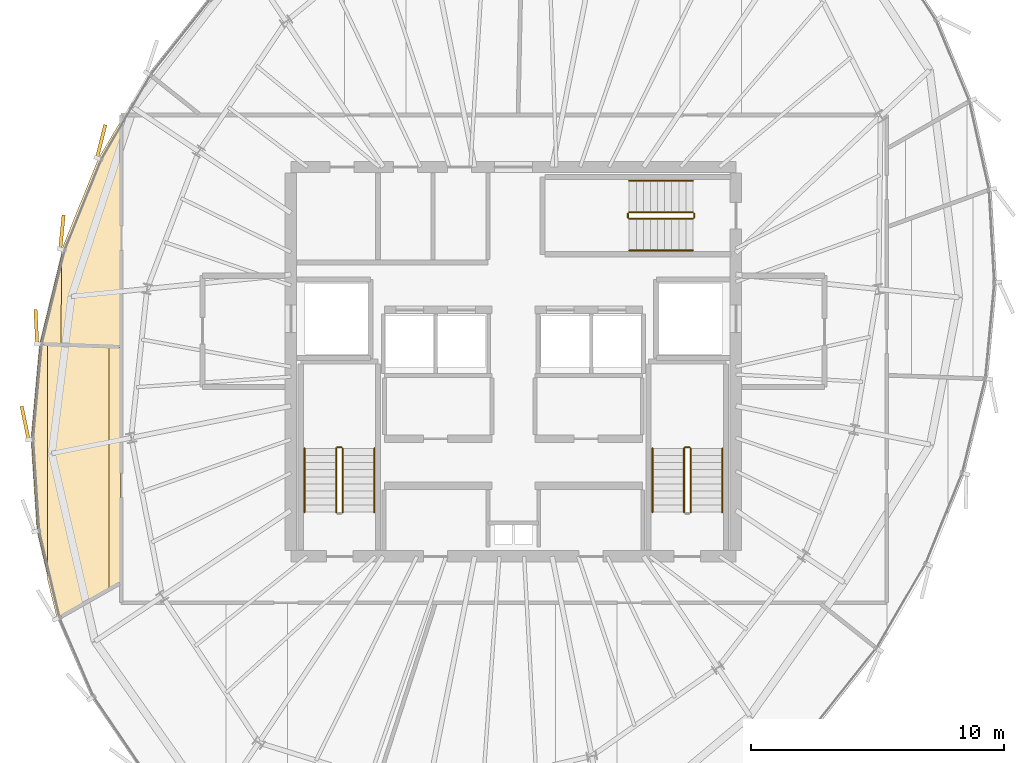
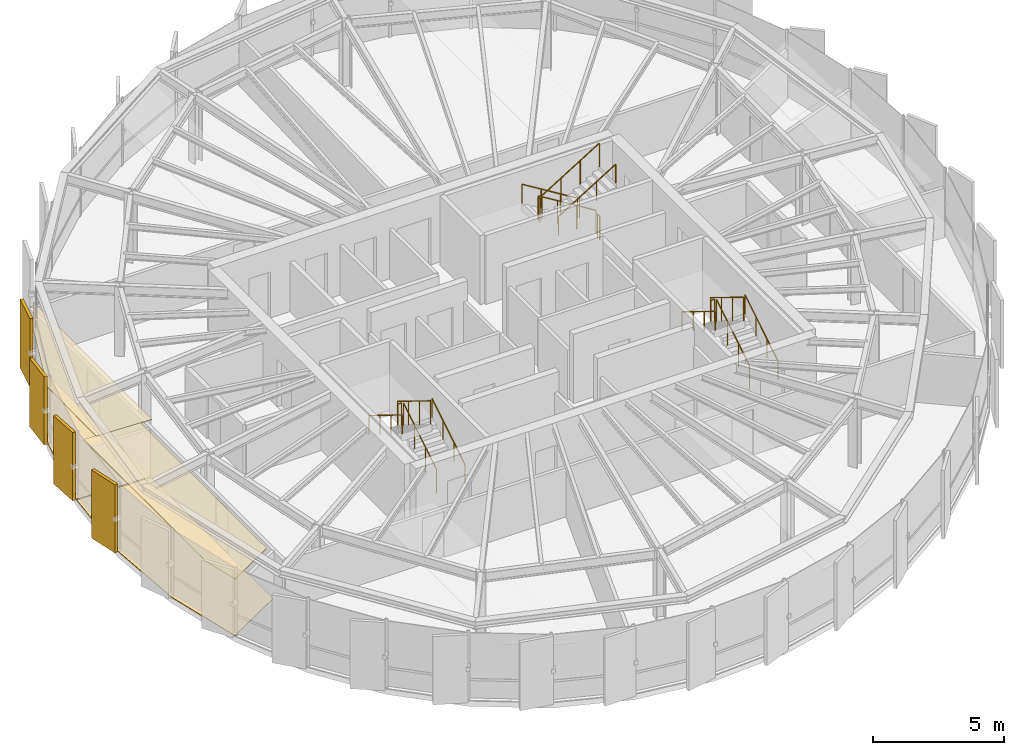
# One storey, part 30 of 31: 16 railings, 8 coverings.
"""IFC4 building model written with IfcOpenShell, lengths in metres."""

from ifc_helpers import new_model, si_unit, direction, frame, origin, origin_2d, place, context, subcontext, project, spatial, polyline, rectangle, circle, outline, extrude, source, transform, mapped, material, layer, layer_set, type_object, element, save


model = new_model("IFC4")

# Units and contexts
model_context = context("Model", 3, precision=1e-05, world=origin(), true_north=direction((0.0, 1.0)))
body_context = subcontext(model_context, "Body", "Model", "MODEL_VIEW")
ifc_project = project(units=[si_unit("LENGTHUNIT", "METRE"), si_unit("AREAUNIT", "SQUARE_METRE"), si_unit("VOLUMEUNIT", "CUBIC_METRE"), si_unit("PLANEANGLEUNIT", "RADIAN"), si_unit("MASSUNIT", "GRAM", prefix="KILO"), si_unit("THERMODYNAMICTEMPERATUREUNIT", "KELVIN")], contexts=[model_context])

# Site, building, storey
site_placement = place(None, origin())
site = spatial("IfcSite", under=ifc_project, at=site_placement, CompositionType="ELEMENT")
building_placement = place(site_placement, origin())
building = spatial("IfcBuilding", under=site, at=building_placement, Name="Kethvar Cultural Tower", CompositionType="ELEMENT")
storey_placement = place(building_placement, frame((0.0, 0.0, 290.5)))
storey = spatial("IfcBuildingStorey", under=building, at=storey_placement, Name="L77", CompositionType="ELEMENT", Elevation=290.5)

# Coverings
ifc_material_1 = material(Name="Acoustic Mineral Fibre Ceiling")
ifc_layer_1 = layer(ifc_material_1, 0.0400390625, Name="Acoustic Mineral Fibre Ceiling")
ifc_layer_set_1 = layer_set([ifc_layer_1], Name="Acoustic Mineral Fibre Ceiling (40 mm)")
covering_type_1 = type_object("IfcCoveringType", Name="CV-ACOUSTIC-CEIL", PredefinedType="CEILING", material=ifc_layer_set_1)
covering_1_placement = place(storey_placement, frame((0.0, 0.0, 2.669921875)))
element("IfcCovering", 1, at=covering_1_placement, inside=storey, type_object=covering_type_1, Name="L77 Room 08 Acoustic Ceiling Panel", PredefinedType="CEILING", context=body_context, shape_type="SweptSolid", body=[
    extrude(outline(polyline([(28.9365234375, 32.243896484375), (30.388671875, 35.83837890625), (31.2978515625, 37.3662109375), (31.30078125, 28.367919921875), (28.90380859375, 28.454833984375), (28.9365234375, 32.243896484375)])), origin(), (0.0, 0.0, 1.0), 0.0400390625),
])
covering_2_placement = place(storey_placement, frame((0.0, 0.0, 2.669921875)))
element("IfcCovering", 2, at=covering_2_placement, inside=storey, type_object=covering_type_1, Name="L77 Room 09 Acoustic Ceiling Panel", PredefinedType="CEILING", context=body_context, shape_type="SweptSolid", body=[
    extrude(outline(polyline([(30.806396484375, 28.423095703125), (30.806396484375, 18.773681640625), (28.7548828125, 17.623779296875), (28.37646484375, 19.17919921875), (28.37646484375, 28.5146484375), (30.806396484375, 28.423095703125)])), origin(), (0.0, 0.0, 1.0), 0.0400390625),
])
ifc_material_2 = material(Name="Architectural Oak Timber", Category="wood")
ifc_layer_2 = layer(ifc_material_2, 0.02490234375, Name="Architectural Oak Timber", Category="wood")
ifc_layer_set_2 = layer_set([ifc_layer_2], Name="Architectural Oak Timber (25 mm)")
covering_type_2 = type_object("IfcCoveringType", Name="CV-OAK-FLOOR", PredefinedType="FLOORING", material=ifc_layer_set_2)
covering_3_placement = place(storey_placement, origin())
element("IfcCovering", 3, at=covering_3_placement, inside=storey, type_object=covering_type_2, Name="L77 Room 08 Floor Finish", PredefinedType="FLOORING", context=body_context, shape_type="SweptSolid", body=[
    extrude(outline(polyline([(28.97412109375, 32.230224609375), (30.425048828125, 35.822021484375), (31.27001953125, 37.273681640625), (31.27001953125, 28.405517578125), (28.0703125, 28.5263671875), (28.97412109375, 32.230224609375)])), origin(), (0.0, 0.0, 1.0), 0.02490234375),
])
covering_4_placement = place(storey_placement, origin())
element("IfcCovering", 4, at=covering_4_placement, inside=storey, type_object=covering_type_2, Name="L77 Room 09 Floor Finish", PredefinedType="FLOORING", context=body_context, shape_type="SweptSolid", body=[
    extrude(outline(polyline([(27.965087890625, 21.101318359375), (27.725341796875, 24.75634765625), (28.0634765625, 28.486572265625), (31.27001953125, 28.365478515625), (31.27001953125, 19.080322265625), (28.771728515625, 17.674072265625), (27.965087890625, 21.101318359375)])), origin(), (0.0, 0.0, 1.0), 0.02490234375),
])

# Railings
ifc_material_3 = material(Name="Steel S355J2", Category="steel")
railing_type_1 = type_object("IfcRailingType", Name="RL-STAIR-GUARD", PredefinedType="BALUSTRADE", material=ifc_material_3)
railing_1_placement = place(storey_placement, frame((40.050048828125, 21.85009765625, 0.172607421875)))
element("IfcRailing", 5, at=railing_1_placement, inside=storey, type_object=railing_type_1, Name="L77 ST-01 stair guard 1", PredefinedType="BALUSTRADE", context=body_context, shape_type="SweptSolid", body=[
    extrude(circle(Radius=0.02392578125, at=origin_2d()), frame((0.0, 0.0, 1.09619140625), z_axis=(0.0, 0.851400495292, 0.524516154772), x_axis=(-1.0, 0.0, 0.0)), (0.0, 0.0, 1.0), 2.9599609375),
    extrude(circle(Radius=0.02099609375, at=origin_2d()), origin(), (0.0, 0.0, 1.0), 1.072021484375),
    extrude(circle(Radius=0.02099609375, at=origin_2d()), frame((0.0, 0.840087890625, 0.517578125)), (0.0, 0.0, 1.0), 1.072021484375),
    extrude(circle(Radius=0.02099609375, at=origin_2d()), frame((0.0, 1.679931640625, 1.034912109375)), (0.0, 0.0, 1.0), 1.072021484375),
    extrude(circle(Radius=0.02099609375, at=origin_2d()), frame((0.0, 2.52001953125, 1.552490234375)), (0.0, 0.0, 1.0), 1.072021484375),
])
railing_2_placement = place(storey_placement, frame((40.0, 24.419921875, 1.72509765625)))
element("IfcRailing", 6, at=railing_2_placement, inside=storey, type_object=railing_type_1, Name="L77 ST-01 stair guard 2", PredefinedType="BALUSTRADE", context=body_context, shape_type="SweptSolid", body=[
    extrude(circle(Radius=0.02392578125, at=origin_2d()), frame((0.0, 0.0, 1.09619140625), z_axis=(-1.0, 0.0, 0.0), x_axis=(0.0, -1.0, 0.0)), (0.0, 0.0, 1.0), 0.159912109375),
    extrude(circle(Radius=0.02099609375, at=origin_2d()), origin(), (0.0, 0.0, 1.0), 1.072021484375),
    extrude(circle(Radius=0.02099609375, at=origin_2d()), frame((-0.159912109375, 0.0, 0.0)), (0.0, 0.0, 1.0), 1.072021484375),
])
railing_3_placement = place(storey_placement, frame((39.7900390625, 24.3701171875, 1.8974609375)))
element("IfcRailing", 7, at=railing_3_placement, inside=storey, type_object=railing_type_1, Name="L77 ST-01 stair guard 3", PredefinedType="BALUSTRADE", context=body_context, shape_type="SweptSolid", body=[
    extrude(circle(Radius=0.02392578125, at=origin_2d()), frame((0.0, 0.0, 1.09619140625), z_axis=(0.0, -0.851400495292, 0.524516154772), x_axis=(1.0, 0.0, 0.0)), (0.0, 0.0, 1.0), 2.9599609375),
    extrude(circle(Radius=0.02099609375, at=origin_2d()), origin(), (0.0, 0.0, 1.0), 1.072021484375),
    extrude(circle(Radius=0.02099609375, at=origin_2d()), frame((0.0, -0.840087890625, 0.517578125)), (0.0, 0.0, 1.0), 1.072021484375),
    extrude(circle(Radius=0.02099609375, at=origin_2d()), frame((0.0, -1.679931640625, 1.034912109375)), (0.0, 0.0, 1.0), 1.072021484375),
    extrude(circle(Radius=0.02099609375, at=origin_2d()), frame((0.0, -2.52001953125, 1.552490234375)), (0.0, 0.0, 1.0), 1.072021484375),
])
railing_4_placement = place(storey_placement, frame((53.81005859375, 21.85009765625, 0.172607421875)))
element("IfcRailing", 8, at=railing_4_placement, inside=storey, type_object=railing_type_1, Name="L77 ST-02 stair guard 1", PredefinedType="BALUSTRADE", context=body_context, shape_type="SweptSolid", body=[
    extrude(circle(Radius=0.02392578125, at=origin_2d()), frame((0.0, 0.0, 1.09619140625), z_axis=(0.0, 0.851400495292, 0.524516154772), x_axis=(-1.0, 0.0, 0.0)), (0.0, 0.0, 1.0), 2.9599609375),
    extrude(circle(Radius=0.02099609375, at=origin_2d()), origin(), (0.0, 0.0, 1.0), 1.072021484375),
    extrude(circle(Radius=0.02099609375, at=origin_2d()), frame((0.0, 0.840087890625, 0.517578125)), (0.0, 0.0, 1.0), 1.072021484375),
    extrude(circle(Radius=0.02099609375, at=origin_2d()), frame((0.0, 1.679931640625, 1.034912109375)), (0.0, 0.0, 1.0), 1.072021484375),
    extrude(circle(Radius=0.02099609375, at=origin_2d()), frame((0.0, 2.52001953125, 1.552490234375)), (0.0, 0.0, 1.0), 1.072021484375),
])
railing_5_placement = place(storey_placement, frame((53.760009765625, 24.419921875, 1.72509765625)))
element("IfcRailing", 9, at=railing_5_placement, inside=storey, type_object=railing_type_1, Name="L77 ST-02 stair guard 2", PredefinedType="BALUSTRADE", context=body_context, shape_type="SweptSolid", body=[
    extrude(circle(Radius=0.02392578125, at=origin_2d()), frame((0.0, 0.0, 1.09619140625), z_axis=(-1.0, 0.0, 0.0), x_axis=(0.0, -1.0, 0.0)), (0.0, 0.0, 1.0), 0.159912109375),
    extrude(circle(Radius=0.02099609375, at=origin_2d()), origin(), (0.0, 0.0, 1.0), 1.072021484375),
    extrude(circle(Radius=0.02099609375, at=origin_2d()), frame((-0.159912109375, 0.0, 0.0)), (0.0, 0.0, 1.0), 1.072021484375),
])
railing_6_placement = place(storey_placement, frame((53.550048828125, 24.3701171875, 1.8974609375)))
element("IfcRailing", 10, at=railing_6_placement, inside=storey, type_object=railing_type_1, Name="L77 ST-02 stair guard 3", PredefinedType="BALUSTRADE", context=body_context, shape_type="SweptSolid", body=[
    extrude(circle(Radius=0.02392578125, at=origin_2d()), frame((0.0, 0.0, 1.09619140625), z_axis=(0.0, -0.851400495292, 0.524516154772), x_axis=(1.0, 0.0, 0.0)), (0.0, 0.0, 1.0), 2.9599609375),
    extrude(circle(Radius=0.02099609375, at=origin_2d()), origin(), (0.0, 0.0, 1.0), 1.072021484375),
    extrude(circle(Radius=0.02099609375, at=origin_2d()), frame((0.0, -0.840087890625, 0.517578125)), (0.0, 0.0, 1.0), 1.072021484375),
    extrude(circle(Radius=0.02099609375, at=origin_2d()), frame((0.0, -1.679931640625, 1.034912109375)), (0.0, 0.0, 1.0), 1.072021484375),
    extrude(circle(Radius=0.02099609375, at=origin_2d()), frame((0.0, -2.52001953125, 1.552490234375)), (0.0, 0.0, 1.0), 1.072021484375),
])
railing_7_placement = place(storey_placement, frame((53.89990234375, 33.7099609375, 0.172607421875)))
element("IfcRailing", 11, at=railing_7_placement, inside=storey, type_object=railing_type_1, Name="L77 ST-03 stair guard 1", PredefinedType="BALUSTRADE", context=body_context, shape_type="SweptSolid", body=[
    extrude(circle(Radius=0.02392578125, at=origin_2d()), frame((0.0, 0.0, 1.09619140625), z_axis=(-0.851400495292, 0.0, 0.524516154772), x_axis=(0.0, -1.0, 0.0)), (0.0, 0.0, 1.0), 2.9599609375),
    extrude(circle(Radius=0.02099609375, at=origin_2d()), origin(), (0.0, 0.0, 1.0), 1.072021484375),
    extrude(circle(Radius=0.02099609375, at=origin_2d()), frame((-0.840087890625, 0.0, 0.517578125)), (0.0, 0.0, 1.0), 1.072021484375),
    extrude(circle(Radius=0.02099609375, at=origin_2d()), frame((-1.679931640625, 0.0, 1.034912109375)), (0.0, 0.0, 1.0), 1.072021484375),
    extrude(circle(Radius=0.02099609375, at=origin_2d()), frame((-2.52001953125, 0.0, 1.552490234375)), (0.0, 0.0, 1.0), 1.072021484375),
])
railing_8_placement = place(storey_placement, frame((51.330078125, 33.659912109375, 1.72509765625)))
element("IfcRailing", 12, at=railing_8_placement, inside=storey, type_object=railing_type_1, Name="L77 ST-03 stair guard 2", PredefinedType="BALUSTRADE", context=body_context, shape_type="SweptSolid", body=[
    extrude(circle(Radius=0.02392578125, at=origin_2d()), frame((0.0, 0.0, 1.09619140625), z_axis=(0.0, -1.0, 0.0), x_axis=(1.0, 0.0, 0.0)), (0.0, 0.0, 1.0), 0.159912109375),
    extrude(circle(Radius=0.02099609375, at=origin_2d()), origin(), (0.0, 0.0, 1.0), 1.072021484375),
    extrude(circle(Radius=0.02099609375, at=origin_2d()), frame((0.0, -0.159912109375, 0.0)), (0.0, 0.0, 1.0), 1.072021484375),
])
railing_9_placement = place(storey_placement, frame((51.3798828125, 33.449951171875, 1.8974609375)))
element("IfcRailing", 13, at=railing_9_placement, inside=storey, type_object=railing_type_1, Name="L77 ST-03 stair guard 3", PredefinedType="BALUSTRADE", context=body_context, shape_type="SweptSolid", body=[
    extrude(circle(Radius=0.02392578125, at=origin_2d()), frame((0.0, 0.0, 1.09619140625), z_axis=(0.851400495292, 0.0, 0.524516154772), x_axis=(0.0, 1.0, 0.0)), (0.0, 0.0, 1.0), 2.9599609375),
    extrude(circle(Radius=0.02099609375, at=origin_2d()), origin(), (0.0, 0.0, 1.0), 1.072021484375),
    extrude(circle(Radius=0.02099609375, at=origin_2d()), frame((0.840087890625, 0.0, 0.517578125)), (0.0, 0.0, 1.0), 1.072021484375),
    extrude(circle(Radius=0.02099609375, at=origin_2d()), frame((1.679931640625, 0.0, 1.034912109375)), (0.0, 0.0, 1.0), 1.072021484375),
    extrude(circle(Radius=0.02099609375, at=origin_2d()), frame((2.52001953125, 0.0, 1.552490234375)), (0.0, 0.0, 1.0), 1.072021484375),
])
railing_10_placement = place(storey_placement, frame((53.949951171875, 33.659912109375, 0.0)))
element("IfcRailing", 14, at=railing_10_placement, inside=storey, type_object=railing_type_1, Name="L77 ST-03 stair guard 4", PredefinedType="BALUSTRADE", context=body_context, shape_type="SweptSolid", body=[
    extrude(circle(Radius=0.02392578125, at=origin_2d()), frame((0.0, 0.0, 1.09619140625), z_axis=(0.0, -1.0, 0.0), x_axis=(1.0, 0.0, 0.0)), (0.0, 0.0, 1.0), 0.159912109375),
    extrude(circle(Radius=0.02099609375, at=origin_2d()), origin(), (0.0, 0.0, 1.0), 1.072021484375),
    extrude(circle(Radius=0.02099609375, at=origin_2d()), frame((0.0, -0.159912109375, 0.0)), (0.0, 0.0, 1.0), 1.072021484375),
])
railing_type_2 = type_object("IfcRailingType", Name="RL-STAIR-HANDRAIL", PredefinedType="HANDRAIL", material=ifc_material_3)
railing_11_placement = place(storey_placement, frame((41.300048828125, 21.85009765625, 0.172607421875)))
element("IfcRailing", 15, at=railing_11_placement, inside=storey, type_object=railing_type_2, Name="L77 ST-01 stair handrail 1", PredefinedType="HANDRAIL", context=body_context, shape_type="SweptSolid", body=[
    extrude(circle(Radius=0.02392578125, at=origin_2d()), frame((0.0, 0.0, 0.8759765625), z_axis=(0.0, 0.851400495292, 0.524516154772), x_axis=(-1.0, 0.0, 0.0)), (0.0, 0.0, 1.0), 2.9599609375),
    extrude(circle(Radius=0.02099609375, at=origin_2d()), origin(), (0.0, 0.0, 1.0), 0.851806640625),
    extrude(circle(Radius=0.02099609375, at=origin_2d()), frame((0.0, 0.840087890625, 0.517578125)), (0.0, 0.0, 1.0), 0.851806640625),
    extrude(circle(Radius=0.02099609375, at=origin_2d()), frame((0.0, 1.679931640625, 1.034912109375)), (0.0, 0.0, 1.0), 0.851806640625),
    extrude(circle(Radius=0.02099609375, at=origin_2d()), frame((0.0, 2.52001953125, 1.552490234375)), (0.0, 0.0, 1.0), 0.851806640625),
])
railing_12_placement = place(storey_placement, frame((38.5400390625, 24.3701171875, 1.8974609375)))
element("IfcRailing", 16, at=railing_12_placement, inside=storey, type_object=railing_type_2, Name="L77 ST-01 stair handrail 2", PredefinedType="HANDRAIL", context=body_context, shape_type="SweptSolid", body=[
    extrude(circle(Radius=0.02392578125, at=origin_2d()), frame((0.0, 0.0, 0.8759765625), z_axis=(0.0, -0.851400495292, 0.524516154772), x_axis=(1.0, 0.0, 0.0)), (0.0, 0.0, 1.0), 2.9599609375),
    extrude(circle(Radius=0.02099609375, at=origin_2d()), origin(), (0.0, 0.0, 1.0), 0.851806640625),
    extrude(circle(Radius=0.02099609375, at=origin_2d()), frame((0.0, -0.840087890625, 0.517578125)), (0.0, 0.0, 1.0), 0.851806640625),
    extrude(circle(Radius=0.02099609375, at=origin_2d()), frame((0.0, -1.679931640625, 1.034912109375)), (0.0, 0.0, 1.0), 0.851806640625),
    extrude(circle(Radius=0.02099609375, at=origin_2d()), frame((0.0, -2.52001953125, 1.552490234375)), (0.0, 0.0, 1.0), 0.851806640625),
])
railing_13_placement = place(storey_placement, frame((55.06005859375, 21.85009765625, 0.172607421875)))
element("IfcRailing", 17, at=railing_13_placement, inside=storey, type_object=railing_type_2, Name="L77 ST-02 stair handrail 1", PredefinedType="HANDRAIL", context=body_context, shape_type="SweptSolid", body=[
    extrude(circle(Radius=0.02392578125, at=origin_2d()), frame((0.0, 0.0, 0.8759765625), z_axis=(0.0, 0.851400495292, 0.524516154772), x_axis=(-1.0, 0.0, 0.0)), (0.0, 0.0, 1.0), 2.9599609375),
    extrude(circle(Radius=0.02099609375, at=origin_2d()), origin(), (0.0, 0.0, 1.0), 0.851806640625),
    extrude(circle(Radius=0.02099609375, at=origin_2d()), frame((0.0, 0.840087890625, 0.517578125)), (0.0, 0.0, 1.0), 0.851806640625),
    extrude(circle(Radius=0.02099609375, at=origin_2d()), frame((0.0, 1.679931640625, 1.034912109375)), (0.0, 0.0, 1.0), 0.851806640625),
    extrude(circle(Radius=0.02099609375, at=origin_2d()), frame((0.0, 2.52001953125, 1.552490234375)), (0.0, 0.0, 1.0), 0.851806640625),
])
railing_14_placement = place(storey_placement, frame((52.300048828125, 24.3701171875, 1.8974609375)))
element("IfcRailing", 18, at=railing_14_placement, inside=storey, type_object=railing_type_2, Name="L77 ST-02 stair handrail 2", PredefinedType="HANDRAIL", context=body_context, shape_type="SweptSolid", body=[
    extrude(circle(Radius=0.02392578125, at=origin_2d()), frame((0.0, 0.0, 0.8759765625), z_axis=(0.0, -0.851400495292, 0.524516154772), x_axis=(1.0, 0.0, 0.0)), (0.0, 0.0, 1.0), 2.9599609375),
    extrude(circle(Radius=0.02099609375, at=origin_2d()), origin(), (0.0, 0.0, 1.0), 0.851806640625),
    extrude(circle(Radius=0.02099609375, at=origin_2d()), frame((0.0, -0.840087890625, 0.517578125)), (0.0, 0.0, 1.0), 0.851806640625),
    extrude(circle(Radius=0.02099609375, at=origin_2d()), frame((0.0, -1.679931640625, 1.034912109375)), (0.0, 0.0, 1.0), 0.851806640625),
    extrude(circle(Radius=0.02099609375, at=origin_2d()), frame((0.0, -2.52001953125, 1.552490234375)), (0.0, 0.0, 1.0), 0.851806640625),
])
railing_15_placement = place(storey_placement, frame((53.89990234375, 34.9599609375, 0.172607421875)))
element("IfcRailing", 19, at=railing_15_placement, inside=storey, type_object=railing_type_2, Name="L77 ST-03 stair handrail 1", PredefinedType="HANDRAIL", context=body_context, shape_type="SweptSolid", body=[
    extrude(circle(Radius=0.02392578125, at=origin_2d()), frame((0.0, 0.0, 0.8759765625), z_axis=(-0.851400495292, 0.0, 0.524516154772), x_axis=(0.0, -1.0, 0.0)), (0.0, 0.0, 1.0), 2.9599609375),
    extrude(circle(Radius=0.02099609375, at=origin_2d()), origin(), (0.0, 0.0, 1.0), 0.851806640625),
    extrude(circle(Radius=0.02099609375, at=origin_2d()), frame((-0.840087890625, 0.0, 0.517578125)), (0.0, 0.0, 1.0), 0.851806640625),
    extrude(circle(Radius=0.02099609375, at=origin_2d()), frame((-1.679931640625, 0.0, 1.034912109375)), (0.0, 0.0, 1.0), 0.851806640625),
    extrude(circle(Radius=0.02099609375, at=origin_2d()), frame((-2.52001953125, 0.0, 1.552490234375)), (0.0, 0.0, 1.0), 0.851806640625),
])
railing_16_placement = place(storey_placement, frame((51.3798828125, 32.199951171875, 1.8974609375)))
element("IfcRailing", 20, at=railing_16_placement, inside=storey, type_object=railing_type_2, Name="L77 ST-03 stair handrail 2", PredefinedType="HANDRAIL", context=body_context, shape_type="SweptSolid", body=[
    extrude(circle(Radius=0.02392578125, at=origin_2d()), frame((0.0, 0.0, 0.8759765625), z_axis=(0.851400495292, 0.0, 0.524516154772), x_axis=(0.0, 1.0, 0.0)), (0.0, 0.0, 1.0), 2.9599609375),
    extrude(circle(Radius=0.02099609375, at=origin_2d()), origin(), (0.0, 0.0, 1.0), 0.851806640625),
    extrude(circle(Radius=0.02099609375, at=origin_2d()), frame((0.840087890625, 0.0, 0.517578125)), (0.0, 0.0, 1.0), 0.851806640625),
    extrude(circle(Radius=0.02099609375, at=origin_2d()), frame((1.679931640625, 0.0, 1.034912109375)), (0.0, 0.0, 1.0), 0.851806640625),
    extrude(circle(Radius=0.02099609375, at=origin_2d()), frame((2.52001953125, 0.0, 1.552490234375)), (0.0, 0.0, 1.0), 0.851806640625),
])

# Coverings
ifc_material_4 = material(Name="Extruded Architectural Terracotta", Category="masonry")
ifc_layer_3 = layer(ifc_material_4, 0.135009765625, Name="Extruded Architectural Terracotta", Category="masonry")
ifc_layer_set_3 = layer_set([ifc_layer_3], Name="Extruded Architectural Terracotta (135 mm)")
covering_type_3 = type_object("IfcCoveringType", Name="Terracotta Facade Fin FIN-03", PredefinedType="CLADDING", material=ifc_layer_set_3)
shared_shape = source(origin(), body_context, "Body", "SweptSolid", [
    extrude(rectangle(XDim=1.35009765625, YDim=0.135009765625, at=origin_2d()), origin(), (0.0, 0.0, 1.0), 3.169921875),
])
for number, where, z_axis, x_axis, name in (
    (21, (30.49609375, 36.515625, 0.02001953125), (0.0, 0.0, 1.0), (0.2419218956, 0.970295726276, 0.0), "L77 Vertical Terracotta Fin 2.4"),
    (22, (28.944580078125, 32.927001953125, 0.02001953125), (0.0, 0.0, 1.0), (0.099493418189, 0.995038220239, 0.0), "L77 Vertical Terracotta Fin 2.5"),
    (23, (27.932373046875, 29.188720703125, 0.02001953125), (0.0, 0.0, 1.0), (-0.049198415926, 0.998789024705, 0.0), "L77 Vertical Terracotta Fin 2.6"),
    (24, (27.489990234375, 25.37646484375, 0.02001953125), (0.0, 0.0, 1.0), (-0.203812623708, 0.979009915383, 0.0), "L77 Vertical Terracotta Fin 3.1"),
):
    element("IfcCovering", number, at=place(storey_placement, frame(where, z_axis=z_axis, x_axis=x_axis)), inside=storey, type_object=covering_type_3, Name=name, PredefinedType="CLADDING", context=body_context, shape_type="MappedRepresentation", body=[
        mapped(shared_shape, transform((0.0, 0.0, 0.0), scale=1.0)),
    ])

save(model, "model.ifc")
